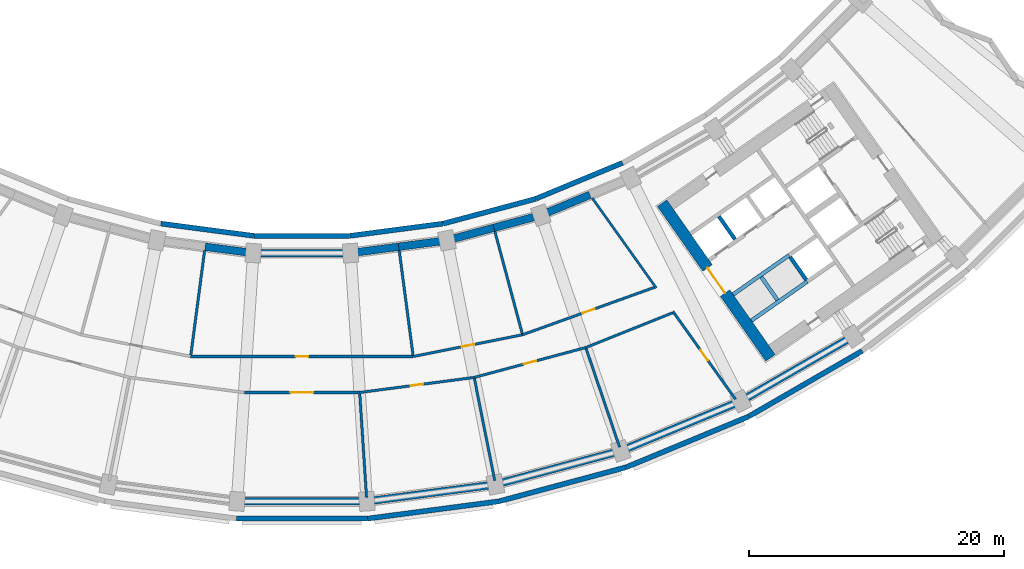
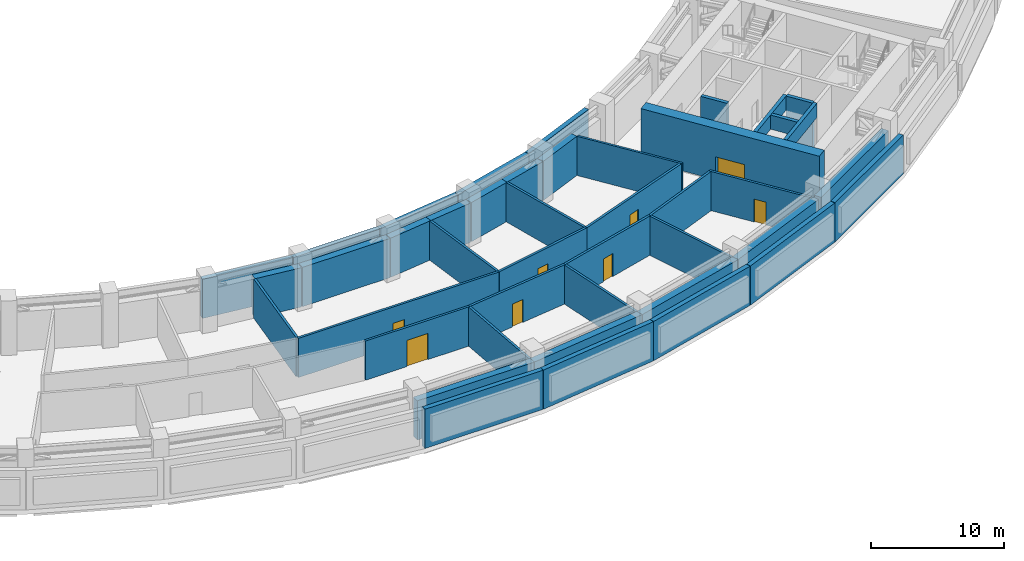
# One storey, part 8 of 25: 43 walls, 8 doors, 8 openings.
"""IFC4 building model written with IfcOpenShell, lengths in metres."""

from ifc_helpers import new_model, si_unit, direction, frame, frame_2d, origin, place, context, subcontext, project, spatial, rectangle, extrude, material, layer, layer_set, type_object, element, fill, save


model = new_model("IFC4")

# Units and contexts
model_context = context("Model", 3, precision=1e-05, world=origin(), true_north=direction((0.0, 1.0)))
body_context = subcontext(model_context, "Body", "Model", "MODEL_VIEW")
ifc_project = project(units=[si_unit("LENGTHUNIT", "METRE"), si_unit("AREAUNIT", "SQUARE_METRE"), si_unit("VOLUMEUNIT", "CUBIC_METRE"), si_unit("PLANEANGLEUNIT", "RADIAN"), si_unit("MASSUNIT", "GRAM", prefix="KILO")], contexts=[model_context])

# Site, building, storey
site_placement = place(None, origin())
site = spatial("IfcSite", under=ifc_project, at=site_placement, CompositionType="ELEMENT")
building_placement = place(site_placement, origin())
building = spatial("IfcBuilding", under=site, at=building_placement, Name="Qamariyya Broadcast Tower", CompositionType="ELEMENT")
storey_placement = place(building_placement, frame((0.0, 0.0, 144.300048828125)))
storey = spatial("IfcBuildingStorey", under=building, at=storey_placement, Name="L33", CompositionType="ELEMENT", Elevation=144.300048828125)

# Wall, opening, door
ifc_material_1 = material(Name="Concrete C70/85", Category="concrete")
ifc_layer_1 = layer(ifc_material_1, 0.89990234375)
ifc_layer_set_1 = layer_set([ifc_layer_1], Name="Core wall 900 mm Concrete C70/85")
wall_type_1 = type_object("IfcWallType", Name="Core wall 900 mm Concrete C70/85", PredefinedType="SHEAR", material=ifc_layer_set_1)
wall_1_placement = place(storey_placement, frame((36.716796875, -66.3369140625, 0.0), z_axis=(0.0, 0.0, 1.0), x_axis=(-0.573577477574, 0.819151315216, 0.0)))
wall_1 = element("IfcWall", 1, at=wall_1_placement, inside=storey, type_object=wall_type_1, Name="k-E-L33-WA", PredefinedType="SHEAR", context=body_context, shape_type="SweptSolid", body=[
    extrude(rectangle(XDim=14.800048828125, YDim=0.89990234375, at=frame_2d((7.39990234375, 0.0))), origin(), (0.0, 0.0, 1.0), 4.699951171875),
])
opening_1_placement = place(wall_1_placement, frame((6.199951171875, 0.0, 0.0)))
opening_1 = element("IfcOpeningElement", 2, at=opening_1_placement, cuts=wall_1, Name="Opening KD3-E1", PredefinedType="OPENING", context=body_context, shape_type="SweptSolid", body=[
    extrude(rectangle(XDim=2.39990234375, YDim=2.10009765625, at=frame_2d((1.199951171875, 1.050048828125))), frame((0.0, 0.4599609375, 0.0), z_axis=(0.0, -1.0, 0.0), x_axis=(1.0, 0.0, 0.0)), (0.0, 0.0, 1.0), 0.919921875),
])
ifc_material_2 = material(Name="Steel fire-resisting door leaf", Category="steel")
door_type_1 = type_object("IfcDoorType", Name="Lift lobby door KD3", OperationType="DOUBLE_DOOR_SINGLE_SWING", PredefinedType="DOOR", material=ifc_material_2)
door_1_placement = place(opening_1_placement, origin())
door_1 = element("IfcDoor", 3, at=door_1_placement, inside=storey, type_object=door_type_1, Name="k-E-L33-WA-D1", OperationType="DOUBLE_DOOR_SINGLE_SWING", OverallHeight=2.10009765625, OverallWidth=2.39990234375, PredefinedType="DOOR", context=body_context, shape_type="SweptSolid", body=[
    extrude(rectangle(XDim=2.39990234375, YDim=2.10009765625, at=frame_2d((1.199951171875, 1.050048828125))), frame((0.0, 0.02490234375, 0.0), z_axis=(0.0, -1.0, 0.0), x_axis=(1.0, 0.0, 0.0)), (0.0, 0.0, 1.0), 0.050048828125),
])
fill(opening_1, door_1)

# Walls
ifc_material_3 = material(Name="Concrete C60/75", Category="concrete")
ifc_layer_2 = layer(ifc_material_3, 0.300048828125)
ifc_layer_set_2 = layer_set([ifc_layer_2], Name="Lift pit wall 300 mm Concrete C60/75")
wall_type_2 = type_object("IfcWallType", Name="Lift pit wall 300 mm Concrete C60/75", PredefinedType="SOLIDWALL", material=ifc_layer_set_2)
for number, where, z_axis, x_axis, name in (
    (4, (33.787353515625, -61.368896484375, 3.39990234375), (0.0, 0.0, 1.0), (0.819139727204, 0.57359402657, 0.0), "k-E-L33-SF0"),
    (5, (35.22119140625, -63.41650390625, 3.39990234375), (0.0, 0.0, 1.0), (0.819161167547, 0.573563406768, 0.0), "k-E-L33-SB0"),
):
    element("IfcWall", number, at=place(storey_placement, frame(where, z_axis=z_axis, x_axis=x_axis)), inside=storey, type_object=wall_type_2, Name=name, PredefinedType="SOLIDWALL", context=body_context, shape_type="SweptSolid", body=[
        extrude(rectangle(XDim=5.35009765625, YDim=0.300048828125, at=frame_2d((2.675048828125, 0.0))), origin(), (0.0, 0.0, 1.0), 1.300048828125),
    ])
wall_2_placement = place(storey_placement, frame((36.003173828125, -60.000244140625, 3.39990234375), z_axis=(0.0, 0.0, 1.0), x_axis=(0.573581496053, -0.819148501424, 0.0)))
element("IfcWall", 6, at=wall_2_placement, inside=storey, type_object=wall_type_2, Name="k-E-L33-SD0", PredefinedType="SOLIDWALL", context=body_context, shape_type="SweptSolid", body=[
    extrude(rectangle(XDim=2.2001953125, YDim=0.300048828125, at=frame_2d((1.10009765625, 0.0))), origin(), (0.0, 0.0, 1.0), 1.300048828125),
])
ifc_layer_3 = layer(ifc_material_3, 0.300048828125)
ifc_layer_set_3 = layer_set([ifc_layer_3], Name="Lift shaft wall 300 mm Concrete C60/75")
wall_type_3 = type_object("IfcWallType", Name="Lift shaft wall 300 mm Concrete C60/75", PredefinedType="SOLIDWALL", material=ifc_layer_set_3)
wall_3_placement = place(storey_placement, frame((33.9384765625, -57.051513671875, 0.0), z_axis=(0.0, 0.0, 1.0), x_axis=(-0.573581496053, 0.819148501424, 0.0)))
element("IfcWall", 7, at=wall_3_placement, inside=storey, type_object=wall_type_3, Name="k-E-L33-ND0", PredefinedType="SOLIDWALL", context=body_context, shape_type="SweptSolid", body=[
    extrude(rectangle(XDim=2.2001953125, YDim=0.300048828125, at=frame_2d((1.10009765625, 0.0))), origin(), (0.0, 0.0, 1.0), 4.699951171875),
])
wall_4_placement = place(storey_placement, frame((38.255859375, -58.423095703125, 0.0), z_axis=(0.0, 0.0, 1.0), x_axis=(0.573633636671, -0.819111989218, 0.0)))
element("IfcWall", 8, at=wall_4_placement, inside=storey, type_object=wall_type_3, Name="k-E-L33-SD1", PredefinedType="SOLIDWALL", context=body_context, shape_type="SweptSolid", body=[
    extrude(rectangle(XDim=2.199951171875, YDim=0.300048828125, at=frame_2d((1.10009765625, 0.0))), origin(), (0.0, 0.0, 1.0), 4.699951171875),
])

# Wall, opening, door
ifc_material_4 = material(Name="Masonry block wall", Category="masonry")
ifc_layer_4 = layer(ifc_material_4, 0.199951171875)
ifc_layer_set_4 = layer_set([ifc_layer_4], Name="Plant room wall 200 EI 120")
wall_type_4 = type_object("IfcWallType", Name="Plant room wall 200 EI 120", PredefinedType="PARTITIONING", material=ifc_layer_set_4)
wall_5_placement = place(storey_placement, frame((-8.71923828125, -66.228515625, 0.0), z_axis=(0.0, 0.0, 1.0), x_axis=(1.0, 0.0, 0.0)))
wall_5 = element("IfcWall", 9, at=wall_5_placement, inside=storey, type_object=wall_type_4, Name="Partition L33-034", PredefinedType="PARTITIONING", context=body_context, shape_type="SweptSolid", body=[
    extrude(rectangle(XDim=17.4384765625, YDim=0.199951171875, at=frame_2d((8.71923828125, 0.0))), origin(), (0.0, 0.0, 1.0), 3.599853515625),
])
opening_2_placement = place(wall_5_placement, frame((8.21923828125, 0.0, 0.0)))
opening_2 = element("IfcOpeningElement", 10, at=opening_2_placement, cuts=wall_5, Name="Opening L33-D09", PredefinedType="OPENING", context=body_context, shape_type="SweptSolid", body=[
    extrude(rectangle(XDim=1.0, YDim=2.10009765625, at=frame_2d((0.5, 1.050048828125))), frame((0.0, 0.10986328125, 0.0), z_axis=(0.0, -1.0, 0.0), x_axis=(1.0, 0.0, 0.0)), (0.0, 0.0, 1.0), 0.219970703125),
])
ifc_material_5 = material(Name="Insulated metal door leaf")
door_type_2 = type_object("IfcDoorType", Name="Plant door 1000 x 2100 FD120", OperationType="NOTDEFINED", PredefinedType="DOOR", material=ifc_material_5)
door_2_placement = place(opening_2_placement, origin())
door_2 = element("IfcDoor", 11, at=door_2_placement, inside=storey, type_object=door_type_2, Name="Door L33-D09", OperationType="SINGLE_SWING_RIGHT", OverallHeight=2.10009765625, OverallWidth=1.0, PredefinedType="DOOR", context=body_context, shape_type="SweptSolid", body=[
    extrude(rectangle(XDim=1.0, YDim=2.10009765625, at=frame_2d((0.5, 1.050048828125))), frame((0.0, 0.02490234375, 0.0), z_axis=(0.0, -1.0, 0.0), x_axis=(1.0, 0.0, 0.0)), (0.0, 0.0, 1.0), 0.050048828125),
])
fill(opening_2, door_2)

# Wall
wall_6_placement = place(storey_placement, frame((-7.6259765625, -57.925537109375, 0.0), z_axis=(0.0, 0.0, 1.0), x_axis=(-0.130528544963, -0.991444551626, 0.0)))
element("IfcWall", 12, at=wall_6_placement, inside=storey, type_object=wall_type_4, Name="Partition L33-035", PredefinedType="PARTITIONING", context=body_context, shape_type="SweptSolid", body=[
    extrude(rectangle(XDim=8.274658203125, YDim=0.199951171875, at=frame_2d((4.13720703125, 0.0))), origin(), (0.0, 0.0, 1.0), 3.599853515625),
])

# Wall, opening, door
wall_7_placement = place(storey_placement, frame((4.52587890625, -69.0517578125, 0.0), z_axis=(0.0, 0.0, 1.0), x_axis=(-1.0, 0.0, 0.0)))
wall_7 = element("IfcWall", 13, at=wall_7_placement, inside=storey, type_object=wall_type_4, Name="Partition L33-038", PredefinedType="PARTITIONING", context=body_context, shape_type="SweptSolid", body=[
    extrude(rectangle(XDim=9.042236328125, YDim=0.199951171875, at=frame_2d((4.52099609375, 0.0))), origin(), (0.0, 0.0, 1.0), 3.599853515625),
])
opening_3_placement = place(wall_7_placement, frame((3.62109375, 0.0, 0.0)))
opening_3 = element("IfcOpeningElement", 14, at=opening_3_placement, cuts=wall_7, Name="Opening L33-D03", PredefinedType="OPENING", context=body_context, shape_type="SweptSolid", body=[
    extrude(rectangle(XDim=1.800048828125, YDim=2.39990234375, at=frame_2d((0.89990234375, 1.199951171875))), frame((0.0, 0.10986328125, 0.0), z_axis=(0.0, -1.0, 0.0), x_axis=(1.0, 0.0, 0.0)), (0.0, 0.0, 1.0), 0.219970703125),
])
door_type_3 = type_object("IfcDoorType", Name="Plant double door 1800 x 2400 FD120", OperationType="NOTDEFINED", PredefinedType="DOOR", material=ifc_material_5)
door_3_placement = place(opening_3_placement, origin())
door_3 = element("IfcDoor", 15, at=door_3_placement, inside=storey, type_object=door_type_3, Name="Door L33-D03", OperationType="DOUBLE_DOOR_SINGLE_SWING", OverallHeight=2.39990234375, OverallWidth=1.800048828125, PredefinedType="DOOR", context=body_context, shape_type="SweptSolid", body=[
    extrude(rectangle(XDim=1.800048828125, YDim=2.39990234375, at=frame_2d((0.89990234375, 1.199951171875))), frame((0.0, 0.02490234375, 0.0), z_axis=(0.0, -1.0, 0.0), x_axis=(1.0, 0.0, 0.0)), (0.0, 0.0, 1.0), 0.050048828125),
])
fill(opening_3, door_3)

wall_8_placement = place(storey_placement, frame((13.500244140625, -67.870361328125, 0.0), z_axis=(0.0, 0.0, 1.0), x_axis=(-0.991446306881, -0.13051521203, 0.0)))
wall_8 = element("IfcWall", 16, at=wall_8_placement, inside=storey, type_object=wall_type_4, Name="Partition L33-041", PredefinedType="PARTITIONING", context=body_context, shape_type="SweptSolid", body=[
    extrude(rectangle(XDim=9.0517578125, YDim=0.199951171875, at=frame_2d((4.52587890625, 0.0))), origin(), (0.0, 0.0, 1.0), 3.599853515625),
])
opening_4_placement = place(wall_8_placement, frame((4.02587890625, 0.0, 0.0)))
opening_4 = element("IfcOpeningElement", 17, at=opening_4_placement, cuts=wall_8, Name="Opening L33-D04", PredefinedType="OPENING", context=body_context, shape_type="SweptSolid", body=[
    extrude(rectangle(XDim=1.0, YDim=2.10009765625, at=frame_2d((0.5, 1.050048828125))), frame((0.0, 0.10986328125, 0.0), z_axis=(0.0, -1.0, 0.0), x_axis=(1.0, 0.0, 0.0)), (0.0, 0.0, 1.0), 0.219970703125),
])
door_4_placement = place(opening_4_placement, origin())
door_4 = element("IfcDoor", 18, at=door_4_placement, inside=storey, type_object=door_type_2, Name="Door L33-D04", OperationType="SINGLE_SWING_RIGHT", OverallHeight=2.10009765625, OverallWidth=1.0, PredefinedType="DOOR", context=body_context, shape_type="SweptSolid", body=[
    extrude(rectangle(XDim=1.0, YDim=2.10009765625, at=frame_2d((0.5, 1.050048828125))), frame((0.0, 0.02490234375, 0.0), z_axis=(0.0, -1.0, 0.0), x_axis=(1.0, 0.0, 0.0)), (0.0, 0.0, 1.0), 0.050048828125),
])
fill(opening_4, door_4)

# Walls
wall_9_placement = place(storey_placement, frame((5.0654296875, -77.2841796875, 0.0), z_axis=(0.0, 0.0, 1.0), x_axis=(-0.065393635367, 0.997859545454, 0.0)))
element("IfcWall", 19, at=wall_9_placement, inside=storey, type_object=wall_type_4, Name="Partition L33-042", PredefinedType="PARTITIONING", context=body_context, shape_type="SweptSolid", body=[
    extrude(rectangle(XDim=8.14990234375, YDim=0.199951171875, at=frame_2d((4.074951171875, 0.0))), origin(), (0.0, 0.0, 1.0), 3.599853515625),
])
wall_10_placement = place(storey_placement, frame((7.6259765625, -57.925537109375, 0.0), z_axis=(0.0, 0.0, 1.0), x_axis=(0.130528544963, -0.991444551626, 0.0)))
element("IfcWall", 20, at=wall_10_placement, inside=storey, type_object=wall_type_4, Name="Partition L33-044", PredefinedType="PARTITIONING", context=body_context, shape_type="SweptSolid", body=[
    extrude(rectangle(XDim=8.274658203125, YDim=0.199951171875, at=frame_2d((4.13720703125, 0.0))), origin(), (0.0, 0.0, 1.0), 3.599853515625),
])

# Wall, opening, door
wall_11_placement = place(storey_placement, frame((8.71923828125, -66.228515625, 0.0), z_axis=(0.0, 0.0, 1.0), x_axis=(0.980786466832, 0.195084357342, 0.0)))
wall_11 = element("IfcWall", 21, at=wall_11_placement, inside=storey, type_object=wall_type_4, Name="Partition L33-046", PredefinedType="PARTITIONING", context=body_context, shape_type="SweptSolid", body=[
    extrude(rectangle(XDim=8.73779296875, YDim=0.199951171875, at=frame_2d((4.368896484375, 0.0))), origin(), (0.0, 0.0, 1.0), 3.599853515625),
])
opening_5_placement = place(wall_11_placement, frame((3.868896484375, 0.0, 0.0)))
opening_5 = element("IfcOpeningElement", 22, at=opening_5_placement, cuts=wall_11, Name="Opening L33-D10", PredefinedType="OPENING", context=body_context, shape_type="SweptSolid", body=[
    extrude(rectangle(XDim=1.0, YDim=2.10009765625, at=frame_2d((0.5, 1.050048828125))), frame((0.0, 0.10986328125, 0.0), z_axis=(0.0, -1.0, 0.0), x_axis=(1.0, 0.0, 0.0)), (0.0, 0.0, 1.0), 0.219970703125),
])
door_5_placement = place(opening_5_placement, origin())
door_5 = element("IfcDoor", 23, at=door_5_placement, inside=storey, type_object=door_type_2, Name="Door L33-D10", OperationType="SINGLE_SWING_RIGHT", OverallHeight=2.10009765625, OverallWidth=1.0, PredefinedType="DOOR", context=body_context, shape_type="SweptSolid", body=[
    extrude(rectangle(XDim=1.0, YDim=2.10009765625, at=frame_2d((0.5, 1.050048828125))), frame((0.0, 0.02490234375, 0.0), z_axis=(0.0, -1.0, 0.0), x_axis=(1.0, 0.0, 0.0)), (0.0, 0.0, 1.0), 0.050048828125),
])
fill(opening_5, door_5)

wall_12_placement = place(storey_placement, frame((22.24365234375, -65.527587890625, 0.0), z_axis=(0.0, 0.0, 1.0), x_axis=(-0.965926260719, -0.258817423781, 0.0)))
wall_12 = element("IfcWall", 24, at=wall_12_placement, inside=storey, type_object=wall_type_4, Name="Partition L33-048", PredefinedType="PARTITIONING", context=body_context, shape_type="SweptSolid", body=[
    extrude(rectangle(XDim=9.0517578125, YDim=0.199951171875, at=frame_2d((4.52587890625, 0.0))), origin(), (0.0, 0.0, 1.0), 3.599853515625),
])
opening_6_placement = place(wall_12_placement, frame((4.02587890625, 0.0, 0.0)))
opening_6 = element("IfcOpeningElement", 25, at=opening_6_placement, cuts=wall_12, Name="Opening L33-D05", PredefinedType="OPENING", context=body_context, shape_type="SweptSolid", body=[
    extrude(rectangle(XDim=1.0, YDim=2.10009765625, at=frame_2d((0.5, 1.050048828125))), frame((0.0, 0.10986328125, 0.0), z_axis=(0.0, -1.0, 0.0), x_axis=(1.0, 0.0, 0.0)), (0.0, 0.0, 1.0), 0.219970703125),
])
door_6_placement = place(opening_6_placement, origin())
door_6 = element("IfcDoor", 26, at=door_6_placement, inside=storey, type_object=door_type_2, Name="Door L33-D05", OperationType="SINGLE_SWING_RIGHT", OverallHeight=2.10009765625, OverallWidth=1.0, PredefinedType="DOOR", context=body_context, shape_type="SweptSolid", body=[
    extrude(rectangle(XDim=1.0, YDim=2.10009765625, at=frame_2d((0.5, 1.050048828125))), frame((0.0, 0.02490234375, 0.0), z_axis=(0.0, -1.0, 0.0), x_axis=(1.0, 0.0, 0.0)), (0.0, 0.0, 1.0), 0.050048828125),
])
fill(opening_6, door_6)

# Walls
wall_13_placement = place(storey_placement, frame((15.12158203125, -56.4345703125, 0.0), z_axis=(0.0, 0.0, 1.0), x_axis=(0.258815723485, -0.965926716308, 0.0)))
element("IfcWall", 27, at=wall_13_placement, inside=storey, type_object=wall_type_4, Name="Partition L33-049", PredefinedType="PARTITIONING", context=body_context, shape_type="SweptSolid", body=[
    extrude(rectangle(XDim=8.274658203125, YDim=0.199951171875, at=frame_2d((4.13720703125, 0.0))), origin(), (0.0, 0.0, 1.0), 3.599853515625),
])
wall_14_placement = place(storey_placement, frame((15.10986328125, -75.9619140625, 0.0), z_axis=(0.0, 0.0, 1.0), x_axis=(-0.195102141606, 0.980782929267, 0.0)))
element("IfcWall", 28, at=wall_14_placement, inside=storey, type_object=wall_type_4, Name="Partition L33-051", PredefinedType="PARTITIONING", context=body_context, shape_type="SweptSolid", body=[
    extrude(rectangle(XDim=8.150146484375, YDim=0.199951171875, at=frame_2d((4.0751953125, 0.0))), origin(), (0.0, 0.0, 1.0), 3.599853515625),
])

# Wall, opening, door
wall_15_placement = place(storey_placement, frame((17.2890625, -64.52392578125, 0.0), z_axis=(0.0, 0.0, 1.0), x_axis=(0.941152070644, 0.337983401845, 0.0)))
wall_15 = element("IfcWall", 29, at=wall_15_placement, inside=storey, type_object=wall_type_4, Name="Partition L33-053", PredefinedType="PARTITIONING", context=body_context, shape_type="SweptSolid", body=[
    extrude(rectangle(XDim=10.983154296875, YDim=0.199951171875, at=frame_2d((5.49169921875, 0.0))), origin(), (0.0, 0.0, 1.0), 3.599853515625),
])
opening_7_placement = place(wall_15_placement, frame((4.99169921875, 0.0, 0.0)))
opening_7 = element("IfcOpeningElement", 30, at=opening_7_placement, cuts=wall_15, Name="Opening L33-D11", PredefinedType="OPENING", context=body_context, shape_type="SweptSolid", body=[
    extrude(rectangle(XDim=1.0, YDim=2.10009765625, at=frame_2d((0.5, 1.050048828125))), frame((0.0, 0.10986328125, 0.0), z_axis=(0.0, -1.0, 0.0), x_axis=(1.0, 0.0, 0.0)), (0.0, 0.0, 1.0), 0.219970703125),
])
door_7_placement = place(opening_7_placement, origin())
door_7 = element("IfcDoor", 31, at=door_7_placement, inside=storey, type_object=door_type_2, Name="Door L33-D11", OperationType="SINGLE_SWING_RIGHT", OverallHeight=2.10009765625, OverallWidth=1.0, PredefinedType="DOOR", context=body_context, shape_type="SweptSolid", body=[
    extrude(rectangle(XDim=1.0, YDim=2.10009765625, at=frame_2d((0.5, 1.050048828125))), frame((0.0, 0.02490234375, 0.0), z_axis=(0.0, -1.0, 0.0), x_axis=(1.0, 0.0, 0.0)), (0.0, 0.0, 1.0), 0.050048828125),
])
fill(opening_7, door_7)

# Walls
wall_16_placement = place(storey_placement, frame((22.24365234375, -65.527587890625, 0.0), z_axis=(0.0, 0.0, 1.0), x_axis=(0.928343133184, 0.371724396657, 0.0)))
element("IfcWall", 32, at=wall_16_placement, inside=storey, type_object=wall_type_4, Name="Partition L33-055", PredefinedType="PARTITIONING", context=body_context, shape_type="SweptSolid", body=[
    extrude(rectangle(XDim=7.315185546875, YDim=0.199951171875, at=frame_2d((3.65771484375, 0.0))), origin(), (0.0, 0.0, 1.0), 3.599853515625),
])
wall_17_placement = place(storey_placement, frame((24.8955078125, -73.33984375, 0.0), z_axis=(0.0, 0.0, 1.0), x_axis=(-0.321453202328, 0.946925466292, 0.0)))
element("IfcWall", 33, at=wall_17_placement, inside=storey, type_object=wall_type_4, Name="Partition L33-058", PredefinedType="PARTITIONING", context=body_context, shape_type="SweptSolid", body=[
    extrude(rectangle(XDim=8.150146484375, YDim=0.199951171875, at=frame_2d((4.0751953125, 0.0))), origin(), (0.0, 0.0, 1.0), 3.599853515625),
])

# Wall, opening, door
wall_18_placement = place(storey_placement, frame((33.97900390625, -69.584716796875, 0.0), z_axis=(0.0, 0.0, 1.0), x_axis=(-0.580017920191, 0.814603714856, 0.0)))
wall_18 = element("IfcWall", 34, at=wall_18_placement, inside=storey, type_object=wall_type_4, Name="Partition L33-061", PredefinedType="PARTITIONING", context=body_context, shape_type="SweptSolid", body=[
    extrude(rectangle(XDim=8.46435546875, YDim=0.199951171875, at=frame_2d((4.232177734375, 0.0))), origin(), (0.0, 0.0, 1.0), 3.599853515625),
])
opening_8_placement = place(wall_18_placement, frame((3.732177734375, 0.0, 0.0)))
opening_8 = element("IfcOpeningElement", 35, at=opening_8_placement, cuts=wall_18, Name="Opening L33-D06", PredefinedType="OPENING", context=body_context, shape_type="SweptSolid", body=[
    extrude(rectangle(XDim=1.0, YDim=2.10009765625, at=frame_2d((0.5, 1.050048828125))), frame((0.0, 0.10986328125, 0.0), z_axis=(0.0, -1.0, 0.0), x_axis=(1.0, 0.0, 0.0)), (0.0, 0.0, 1.0), 0.219970703125),
])
door_8_placement = place(opening_8_placement, origin())
door_8 = element("IfcDoor", 36, at=door_8_placement, inside=storey, type_object=door_type_2, Name="Door L33-D06", OperationType="SINGLE_SWING_RIGHT", OverallHeight=2.10009765625, OverallWidth=1.0, PredefinedType="DOOR", context=body_context, shape_type="SweptSolid", body=[
    extrude(rectangle(XDim=1.0, YDim=2.10009765625, at=frame_2d((0.5, 1.050048828125))), frame((0.0, 0.02490234375, 0.0), z_axis=(0.0, -1.0, 0.0), x_axis=(1.0, 0.0, 0.0)), (0.0, 0.0, 1.0), 0.050048828125),
])
fill(opening_8, door_8)

# Walls
ifc_material_6 = material(Name="Gypsum board partition")
ifc_layer_5 = layer(ifc_material_6, 0.179931640625)
ifc_layer_set_5 = layer_set([ifc_layer_5], Name="Studio acoustic partition 180 EI 60")
wall_type_5 = type_object("IfcWallType", Name="Studio acoustic partition 180 EI 60", PredefinedType="PARTITIONING", material=ifc_layer_set_5)
wall_19_placement = place(storey_placement, frame((22.746337890625, -53.80908203125, 0.0), z_axis=(0.0, 0.0, 1.0), x_axis=(0.580002652606, -0.814614585537, 0.0)))
element("IfcWall", 37, at=wall_19_placement, inside=storey, type_object=wall_type_5, Name="Partition L33-057", PredefinedType="PARTITIONING", context=body_context, shape_type="SweptSolid", body=[
    extrude(rectangle(XDim=8.658935546875, YDim=0.179931640625, at=frame_2d((4.32958984375, 0.0))), origin(), (0.0, 0.0, 1.0), 3.599853515625),
])
ifc_material_7 = material(Name="Terracotta", Category="masonry")
ifc_layer_6 = layer(ifc_material_7, 0.39990234375)
ifc_layer_set_6 = layer_set([ifc_layer_6], Name="Terracotta clad plant wall 400")
wall_type_6 = type_object("IfcWallType", Name="Terracotta clad plant wall 400", PredefinedType="SOLIDWALL", material=ifc_layer_set_6)
wall_20_placement = place(storey_placement, frame((11.050537109375, -55.813720703125, 0.0), z_axis=(0.0, 0.0, 1.0), x_axis=(-0.991445238191, -0.130523329976, 0.0)))
element("IfcWall", 38, at=wall_20_placement, inside=storey, type_object=wall_type_6, Name="e-wl-L33-in100", PredefinedType="SOLIDWALL", context=body_context, shape_type="SweptSolid", body=[
    extrude(rectangle(XDim=7.341552734375, YDim=0.39990234375, at=frame_2d((3.6708984375, 0.0))), origin(), (0.0, 0.0, 1.0), 3.599853515625),
])
wall_21_placement = place(storey_placement, frame((18.314208984375, -53.874267578125, 0.0), z_axis=(0.0, 0.0, 1.0), x_axis=(-0.965928708291, -0.258808289086, 0.0)))
element("IfcWall", 39, at=wall_21_placement, inside=storey, type_object=wall_type_6, Name="e-wl-L33-in110", PredefinedType="SOLIDWALL", context=body_context, shape_type="SweptSolid", body=[
    extrude(rectangle(XDim=7.492919921875, YDim=0.39990234375, at=frame_2d((3.74658203125, 0.0))), origin(), (0.0, 0.0, 1.0), 3.599853515625),
])
for number, where, z_axis, x_axis, name in (
    (40, (25.11962890625, -51.0517578125, 0.0), (0.0, 0.0, 1.0), (-0.923875784142, -0.382692481603, 0.0), "e-wl-L33-in120"),
    (41, (-3.771728515625, -56.77197265625, 0.0), (0.0, 0.0, 1.0), (-0.991445238191, 0.130523329976, 0.0), "e-wl-L33-in80"),
):
    element("IfcWall", number, at=place(storey_placement, frame(where, z_axis=z_axis, x_axis=x_axis)), inside=storey, type_object=wall_type_6, Name=name, PredefinedType="SOLIDWALL", context=body_context, shape_type="SweptSolid", body=[
        extrude(rectangle(XDim=7.341552734375, YDim=0.39990234375, at=frame_2d((3.6708984375, 0.0))), origin(), (0.0, 0.0, 1.0), 3.599853515625),
    ])
wall_22_placement = place(storey_placement, frame((3.74658203125, -56.778564453125, 0.0), z_axis=(0.0, 0.0, 1.0), x_axis=(-1.0, 0.0, 0.0)))
element("IfcWall", 42, at=wall_22_placement, inside=storey, type_object=wall_type_6, Name="e-wl-L33-in90", PredefinedType="SOLIDWALL", context=body_context, shape_type="SweptSolid", body=[
    extrude(rectangle(XDim=7.4931640625, YDim=0.39990234375, at=frame_2d((3.74658203125, 0.0))), origin(), (0.0, 0.0, 1.0), 3.599853515625),
])
wall_23_placement = place(storey_placement, frame((5.148681640625, -78.93359375, 0.0), z_axis=(0.0, 0.0, 1.0), x_axis=(0.991442942047, 0.130540770129, 0.0)))
element("IfcWall", 43, at=wall_23_placement, inside=storey, type_object=wall_type_6, Name="e-wl-L33-out100", PredefinedType="SOLIDWALL", context=body_context, shape_type="SweptSolid", body=[
    extrude(rectangle(XDim=10.396484375, YDim=0.39990234375, at=frame_2d((5.1982421875, 0.0))), origin(), (0.0, 0.0, 1.0), 3.599853515625),
])
wall_24_placement = place(storey_placement, frame((15.48046875, -77.566650390625, 0.0), z_axis=(0.0, 0.0, 1.0), x_axis=(0.965921778254, 0.258834152101, 0.0)))
element("IfcWall", 44, at=wall_24_placement, inside=storey, type_object=wall_type_6, Name="e-wl-L33-out110", PredefinedType="SOLIDWALL", context=body_context, shape_type="SweptSolid", body=[
    extrude(rectangle(XDim=10.245361328125, YDim=0.39990234375, at=frame_2d((5.12255859375, 0.0))), origin(), (0.0, 0.0, 1.0), 3.599853515625),
])
wall_25_placement = place(storey_placement, frame((25.402587890625, -74.911376953125, 0.0), z_axis=(0.0, 0.0, 1.0), x_axis=(0.923878024815, 0.382687072245, 0.0)))
element("IfcWall", 45, at=wall_25_placement, inside=storey, type_object=wall_type_6, Name="e-wl-L33-out120", PredefinedType="SOLIDWALL", context=body_context, shape_type="SweptSolid", body=[
    extrude(rectangle(XDim=10.39697265625, YDim=0.39990234375, at=frame_2d((5.198486328125, 0.0))), origin(), (0.0, 0.0, 1.0), 3.599853515625),
])
wall_26_placement = place(storey_placement, frame((35.02880859375, -70.9169921875, 0.0), z_axis=(0.0, 0.0, 1.0), x_axis=(0.866015740148, 0.500016737536, 0.0)))
element("IfcWall", 46, at=wall_26_placement, inside=storey, type_object=wall_type_6, Name="e-wl-L33-out130", PredefinedType="SOLIDWALL", context=body_context, shape_type="SweptSolid", body=[
    extrude(rectangle(XDim=10.245361328125, YDim=0.39990234375, at=frame_2d((5.12255859375, 0.0))), origin(), (0.0, 0.0, 1.0), 3.599853515625),
])
wall_27_placement = place(storey_placement, frame((-5.12255859375, -78.93017578125, 0.0), z_axis=(0.0, 0.0, 1.0), x_axis=(1.0, 0.0, 0.0)))
element("IfcWall", 47, at=wall_27_placement, inside=storey, type_object=wall_type_6, Name="e-wl-L33-out90", PredefinedType="SOLIDWALL", context=body_context, shape_type="SweptSolid", body=[
    extrude(rectangle(XDim=10.2451171875, YDim=0.39990234375, at=frame_2d((5.12255859375, 0.0))), origin(), (0.0, 0.0, 1.0), 3.599853515625),
])
ifc_layer_7 = layer(ifc_material_4, 0.60009765625)
ifc_layer_set_7 = layer_set([ifc_layer_7], Name="Truss casing wall 600 EI 120")
wall_type_7 = type_object("IfcWallType", Name="Truss casing wall 600 EI 120", PredefinedType="PARTITIONING", material=ifc_layer_set_7)
wall_28_placement = place(storey_placement, frame((-7.5869140625, -57.6279296875, 0.0), z_axis=(0.0, 0.0, 1.0), x_axis=(0.991442222886, -0.130546231962, 0.0)))
element("IfcWall", 48, at=wall_28_placement, inside=storey, type_object=wall_type_7, Name="Partition L33-036", PredefinedType="PARTITIONING", context=body_context, shape_type="SweptSolid", body=[
    extrude(rectangle(XDim=3.787109375, YDim=0.60009765625, at=frame_2d((1.8935546875, 0.0))), origin(), (0.0, 0.0, 1.0), 3.599853515625),
])
wall_29_placement = place(storey_placement, frame((-5.0625, -77.58349609375, 0.0), z_axis=(0.0, 0.0, 1.0), x_axis=(1.0, 0.0, 0.0)))
element("IfcWall", 49, at=wall_29_placement, inside=storey, type_object=wall_type_7, Name="Partition L33-037", PredefinedType="PARTITIONING", context=body_context, shape_type="SweptSolid", body=[
    extrude(rectangle(XDim=10.147705078125, YDim=0.60009765625, at=frame_2d((5.07373046875, 0.0))), origin(), (0.0, 0.0, 1.0), 3.599853515625),
])
wall_30_placement = place(storey_placement, frame((-3.787109375, -58.125244140625, 0.0), z_axis=(0.0, 0.0, 1.0), x_axis=(1.0, 0.0, 0.0)))
element("IfcWall", 50, at=wall_30_placement, inside=storey, type_object=wall_type_7, Name="Partition L33-039", PredefinedType="PARTITIONING", context=body_context, shape_type="SweptSolid", body=[
    extrude(rectangle(XDim=7.57421875, YDim=0.60009765625, at=frame_2d((3.787109375, 0.0))), origin(), (0.0, 0.0, 1.0), 3.599853515625),
])
wall_31_placement = place(storey_placement, frame((3.832275390625, -58.122314453125, 0.0), z_axis=(0.0, 0.0, 1.0), x_axis=(0.991442222886, 0.130546231962, 0.0)))
element("IfcWall", 51, at=wall_31_placement, inside=storey, type_object=wall_type_7, Name="Partition L33-040", PredefinedType="PARTITIONING", context=body_context, shape_type="SweptSolid", body=[
    extrude(rectangle(XDim=3.787109375, YDim=0.60009765625, at=frame_2d((1.8935546875, 0.0))), origin(), (0.0, 0.0, 1.0), 3.599853515625),
])
wall_32_placement = place(storey_placement, frame((5.085205078125, -77.58349609375, 0.0), z_axis=(0.0, 0.0, 1.0), x_axis=(0.99144563226, 0.130520336625, 0.0)))
element("IfcWall", 52, at=wall_32_placement, inside=storey, type_object=wall_type_7, Name="Partition L33-043", PredefinedType="PARTITIONING", context=body_context, shape_type="SweptSolid", body=[
    extrude(rectangle(XDim=10.169921875, YDim=0.60009765625, at=frame_2d((5.0849609375, 0.0))), origin(), (0.0, 0.0, 1.0), 3.599853515625),
])
wall_33_placement = place(storey_placement, frame((7.5869140625, -57.6279296875, 0.0), z_axis=(0.0, 0.0, 1.0), x_axis=(0.991450564869, 0.130482862559, 0.0)))
element("IfcWall", 53, at=wall_33_placement, inside=storey, type_object=wall_type_7, Name="Partition L33-045", PredefinedType="PARTITIONING", context=body_context, shape_type="SweptSolid", body=[
    extrude(rectangle(XDim=3.787109375, YDim=0.60009765625, at=frame_2d((1.8935546875, 0.0))), origin(), (0.0, 0.0, 1.0), 3.599853515625),
])
wall_34_placement = place(storey_placement, frame((11.385986328125, -57.124755859375, 0.0), z_axis=(0.0, 0.0, 1.0), x_axis=(0.965936829447, 0.258777977267, 0.0)))
element("IfcWall", 54, at=wall_34_placement, inside=storey, type_object=wall_type_7, Name="Partition L33-047", PredefinedType="PARTITIONING", context=body_context, shape_type="SweptSolid", body=[
    extrude(rectangle(XDim=3.786865234375, YDim=0.60009765625, at=frame_2d((1.8935546875, 0.0))), origin(), (0.0, 0.0, 1.0), 3.599853515625),
])
wall_35_placement = place(storey_placement, frame((15.0439453125, -56.144775390625, 0.0), z_axis=(0.0, 0.0, 1.0), x_axis=(0.965920713003, 0.258838127392, 0.0)))
element("IfcWall", 55, at=wall_35_placement, inside=storey, type_object=wall_type_7, Name="Partition L33-050", PredefinedType="PARTITIONING", context=body_context, shape_type="SweptSolid", body=[
    extrude(rectangle(XDim=3.787109375, YDim=0.60009765625, at=frame_2d((1.8935546875, 0.0))), origin(), (0.0, 0.0, 1.0), 3.599853515625),
])
wall_36_placement = place(storey_placement, frame((15.168212890625, -76.256103515625, 0.0), z_axis=(0.0, 0.0, 1.0), x_axis=(0.965924263558, 0.258824877223, 0.0)))
element("IfcWall", 56, at=wall_36_placement, inside=storey, type_object=wall_type_7, Name="Partition L33-052", PredefinedType="PARTITIONING", context=body_context, shape_type="SweptSolid", body=[
    extrude(rectangle(XDim=10.17041015625, YDim=0.60009765625, at=frame_2d((5.085205078125, 0.0))), origin(), (0.0, 0.0, 1.0), 3.599853515625),
])
wall_37_placement = place(storey_placement, frame((18.744873046875, -55.14990234375, 0.0), z_axis=(0.0, 0.0, 1.0), x_axis=(0.923892575647, 0.382651941932, 0.0)))
element("IfcWall", 57, at=wall_37_placement, inside=storey, type_object=wall_type_7, Name="Partition L33-054", PredefinedType="PARTITIONING", context=body_context, shape_type="SweptSolid", body=[
    extrude(rectangle(XDim=4.142578125, YDim=0.60009765625, at=frame_2d((2.0712890625, 0.0))), origin(), (0.0, 0.0, 1.0), 3.599853515625),
])
wall_38_placement = place(storey_placement, frame((24.991943359375, -73.623779296875, 0.0), z_axis=(0.0, 0.0, 1.0), x_axis=(0.923879094783, 0.382684489133, 0.0)))
element("IfcWall", 58, at=wall_38_placement, inside=storey, type_object=wall_type_7, Name="Partition L33-059", PredefinedType="PARTITIONING", context=body_context, shape_type="SweptSolid", body=[
    extrude(rectangle(XDim=9.916015625, YDim=0.60009765625, at=frame_2d((4.9580078125, 0.0))), origin(), (0.0, 0.0, 1.0), 3.599853515625),
])
wall_39_placement = place(storey_placement, frame((34.407470703125, -69.720458984375, 0.0), z_axis=(0.0, 0.0, 1.0), x_axis=(0.866037016931, 0.4999798849, 0.0)))
element("IfcWall", 59, at=wall_39_placement, inside=storey, type_object=wall_type_7, Name="Partition L33-063", PredefinedType="PARTITIONING", context=body_context, shape_type="SweptSolid", body=[
    extrude(rectangle(XDim=10.125, YDim=0.60009765625, at=frame_2d((5.0625, 0.0))), origin(), (0.0, 0.0, 1.0), 3.599853515625),
])

save(model, "model.ifc")
